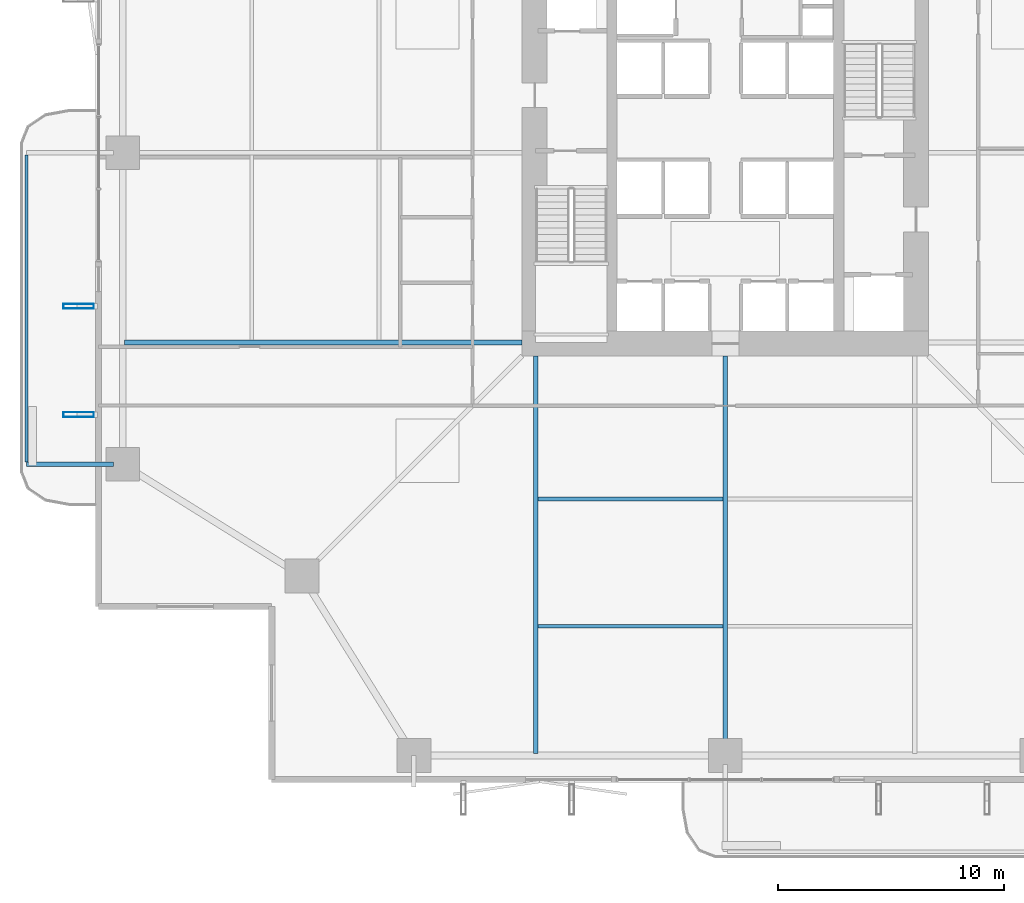
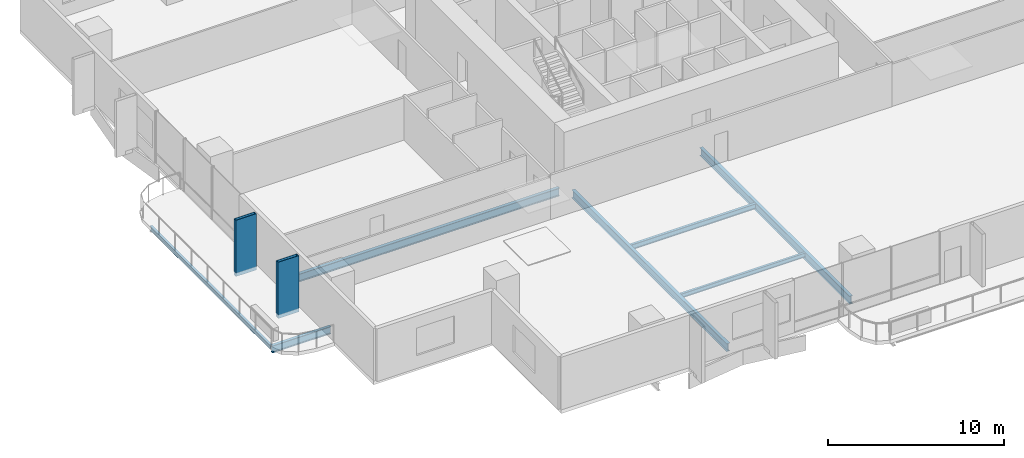
# One storey, part 3 of 23: 7 beams, 2 members.
"""IFC4 building model written with IfcOpenShell, lengths in metres."""

from ifc_helpers import new_model, si_unit, direction, frame, origin, origin_2d, place, context, subcontext, project, spatial, hollow_rectangle, i_section, extrude, material, material_profile, profile_set, type_object, element, save


model = new_model("IFC4")

# Units and contexts
model_context = context("Model", 3, precision=1e-05, world=origin(), true_north=direction((0.0, 1.0)))
body_context = subcontext(model_context, "Body", "Model", "MODEL_VIEW")
ifc_project = project(units=[si_unit("LENGTHUNIT", "METRE"), si_unit("AREAUNIT", "SQUARE_METRE"), si_unit("VOLUMEUNIT", "CUBIC_METRE"), si_unit("PLANEANGLEUNIT", "RADIAN"), si_unit("MASSUNIT", "GRAM", prefix="KILO")], contexts=[model_context])

# Site, building, storey
site_placement = place(None, origin())
site = spatial("IfcSite", under=ifc_project, at=site_placement, CompositionType="ELEMENT")
building_placement = place(site_placement, origin())
building = spatial("IfcBuilding", under=site, at=building_placement, Name="Belovzor Exchange Tower", CompositionType="ELEMENT")
storey_placement = place(building_placement, frame((0.0, 0.0, 84.60009765625)))
storey = spatial("IfcBuildingStorey", under=building, at=storey_placement, Name="L20", CompositionType="ELEMENT", Elevation=84.60009765625)

# Members
ifc_material_1 = material(Name="Extruded Architectural Terracotta on Steel S355 Carrier", Category="masonry")
ifc_material_profile_1 = material_profile(ifc_material_1, hollow_rectangle(XDim=0.219970703125, YDim=1.35009765625, WallThickness=0.013916015625, at=origin_2d()))
ifc_profile_set_1 = profile_set([ifc_material_profile_1], Name="Extruded Architectural Terracotta on Steel S355 Carrier")
member_type = type_object("IfcMemberType", Name="Base Arc Sweeping Terracotta Pylon Fin 1450", PredefinedType="USERDEFINED", material=ifc_profile_set_1)
for number, where, z_axis, x_axis, name in (
    (1, (0.14990234375, 17.199951171875, -0.25), (0.0, 0.0, 1.0), (0.0, 1.0, 0.0), "FIN-TC145 Terracotta Facade Fin L20 W1"),
    (2, (0.14990234375, 22.0, -0.25), (0.0, 0.0, 1.0), (0.0, 1.0, 0.0), "FIN-TC145 Terracotta Facade Fin L20 W2"),
):
    element("IfcMember", number, at=place(storey_placement, frame(where, z_axis=z_axis, x_axis=x_axis)), inside=storey, type_object=member_type, Name=name, ObjectType="FIN", PredefinedType="USERDEFINED", context=body_context, shape_type="SweptSolid", body=[
        extrude(hollow_rectangle(XDim=0.219970703125, YDim=1.35009765625, WallThickness=0.013916015625, at=origin_2d()), origin(), (0.0, 0.0, 1.0), 3.89990234375),
    ])

# Beams
ifc_material_2 = material(Name="Steel S355", Category="steel")
ifc_material_profile_2 = material_profile(ifc_material_2, i_section(OverallWidth=0.199951171875, OverallDepth=0.5, WebThickness=0.01025390625, FlangeThickness=0.01611328125, at=origin_2d()))
ifc_profile_set_2 = profile_set([ifc_material_profile_2], Name="Steel S355")
beam_type_1 = type_object("IfcBeamType", Name="Planted Balcony Cantilever Beam IPE 500", PredefinedType="BEAM", material=ifc_profile_set_2)
beam_1_placement = place(storey_placement, frame((1.68798828125, 15.0, -0.5), z_axis=(-1.0, 0.0, 0.0), x_axis=(0.0, -1.0, 0.0)))
element("IfcBeam", 3, at=beam_1_placement, inside=storey, type_object=beam_type_1, Name="BC-500 Planted Balcony Cantilever Beam IPE 500", PredefinedType="BEAM", context=body_context, shape_type="SweptSolid", body=[
    extrude(i_section(OverallWidth=0.199951171875, OverallDepth=0.5, WebThickness=0.01025390625, FlangeThickness=0.01611328125, at=origin_2d()), origin(), (0.0, 0.0, 1.0), 3.85009765625),
])
ifc_material_3 = material(Name="Steel S355", Category="steel")
ifc_material_profile_3 = material_profile(ifc_material_3, i_section(OverallWidth=0.14990234375, OverallDepth=0.300048828125, WebThickness=0.007080078125, FlangeThickness=0.0107421875, at=origin_2d()))
ifc_profile_set_3 = profile_set([ifc_material_profile_3], Name="Steel S355")
beam_type_2 = type_object("IfcBeamType", Name="Planted Balcony Fascia Edge Beam IPE 300", PredefinedType="BEAM", material=ifc_profile_set_3)
beam_2_placement = place(storey_placement, frame((-2.162109375, 28.699951171875, -0.400146484375), z_axis=(0.0, -1.0, 0.0), x_axis=(1.0, 0.0, 0.0)))
element("IfcBeam", 4, at=beam_2_placement, inside=storey, type_object=beam_type_2, Name="BC-300 Planted Balcony Fascia Edge Beam IPE 300", PredefinedType="BEAM", context=body_context, shape_type="SweptSolid", body=[
    extrude(i_section(OverallWidth=0.14990234375, OverallDepth=0.300048828125, WebThickness=0.007080078125, FlangeThickness=0.0107421875, at=origin_2d()), origin(), (0.0, 0.0, 1.0), 13.599853515625),
])
ifc_material_4 = material(Name="Steel S355", Category="steel")
ifc_material_profile_4 = material_profile(ifc_material_4, i_section(OverallWidth=0.169921875, OverallDepth=0.360107421875, WebThickness=0.008056640625, FlangeThickness=0.0126953125, at=origin_2d()))
ifc_profile_set_4 = profile_set([ifc_material_profile_4], Name="Steel S355")
beam_type_3 = type_object("IfcBeamType", Name="Secondary Infill Floor Joist IPE 360", PredefinedType="BEAM", material=ifc_profile_set_4)
beam_3_placement = place(storey_placement, frame((20.5048828125, 13.455078125, -0.43017578125), z_axis=(1.0, 0.0, 0.0), x_axis=(0.0, 1.0, 0.0)))
element("IfcBeam", 5, at=beam_3_placement, inside=storey, type_object=beam_type_3, Name="FJ-360 Secondary Infill Floor Joist IPE 360", PredefinedType="BEAM", context=body_context, shape_type="SweptSolid", body=[
    extrude(i_section(OverallWidth=0.169921875, OverallDepth=0.360107421875, WebThickness=0.008056640625, FlangeThickness=0.0126953125, at=origin_2d()), origin(), (0.0, 0.0, 1.0), 8.190185546875),
])
ifc_material_5 = material(Name="Steel S355", Category="steel")
ifc_material_profile_5 = material_profile(ifc_material_5, i_section(OverallWidth=0.14990234375, OverallDepth=0.300048828125, WebThickness=0.007080078125, FlangeThickness=0.0107421875, at=origin_2d()))
ifc_profile_set_5 = profile_set([ifc_material_profile_5], Name="Steel S355")
beam_type_4 = type_object("IfcBeamType", Name="Secondary Trim Floor Joist IPE 300", PredefinedType="BEAM", material=ifc_profile_set_5)
beam_4_placement = place(storey_placement, frame((20.5048828125, 7.81494140625, -0.400146484375), z_axis=(1.0, 0.0, 0.0), x_axis=(0.0, 1.0, 0.0)))
element("IfcBeam", 6, at=beam_4_placement, inside=storey, type_object=beam_type_4, Name="FJ-300 Secondary Trim Floor Joist IPE 300", PredefinedType="BEAM", context=body_context, shape_type="SweptSolid", body=[
    extrude(i_section(OverallWidth=0.14990234375, OverallDepth=0.300048828125, WebThickness=0.007080078125, FlangeThickness=0.0107421875, at=origin_2d()), origin(), (0.0, 0.0, 1.0), 8.190185546875),
])
ifc_material_6 = material(Name="Steel S355", Category="steel")
ifc_material_profile_6 = material_profile(ifc_material_6, i_section(OverallWidth=0.2099609375, OverallDepth=0.550048828125, WebThickness=0.010986328125, FlangeThickness=0.01708984375, at=origin_2d()))
ifc_profile_set_6 = profile_set([ifc_material_profile_6], Name="Steel S355")
beam_type_5 = type_object("IfcBeamType", Name="Zone 1 Radial Composite Floor Beam IPE 550", PredefinedType="BEAM", material=ifc_profile_set_6)
beam_5_placement = place(storey_placement, frame((20.39990234375, 19.800048828125, -0.525146484375), z_axis=(0.0, -1.0, 0.0), x_axis=(1.0, 0.0, 0.0)))
element("IfcBeam", 7, at=beam_5_placement, inside=storey, type_object=beam_type_5, Name="FB-550 Zone 1 Radial Composite Floor Beam IPE 550", PredefinedType="BEAM", context=body_context, shape_type="SweptSolid", body=[
    extrude(i_section(OverallWidth=0.2099609375, OverallDepth=0.550048828125, WebThickness=0.010986328125, FlangeThickness=0.01708984375, at=origin_2d()), origin(), (0.0, 0.0, 1.0), 17.625),
])
beam_6_placement = place(storey_placement, frame((28.800048828125, 19.800048828125, -0.525146484375), z_axis=(0.0, -1.0, 0.0), x_axis=(1.0, 0.0, 0.0)))
element("IfcBeam", 8, at=beam_6_placement, inside=storey, type_object=beam_type_5, Name="FB-550 Zone 1 Radial Composite Floor Beam IPE 550", PredefinedType="BEAM", context=body_context, shape_type="SweptSolid", body=[
    extrude(i_section(OverallWidth=0.2099609375, OverallDepth=0.550048828125, WebThickness=0.010986328125, FlangeThickness=0.01708984375, at=origin_2d()), origin(), (0.0, 0.0, 1.0), 17.0400390625),
])
beam_7_placement = place(storey_placement, frame((19.800048828125, 20.39990234375, -0.525146484375), z_axis=(-1.0, 0.0, 0.0), x_axis=(0.0, -1.0, 0.0)))
element("IfcBeam", 9, at=beam_7_placement, inside=storey, type_object=beam_type_5, Name="FB-550 Zone 1 Radial Composite Floor Beam IPE 550", PredefinedType="BEAM", context=body_context, shape_type="SweptSolid", body=[
    extrude(i_section(OverallWidth=0.2099609375, OverallDepth=0.550048828125, WebThickness=0.010986328125, FlangeThickness=0.01708984375, at=origin_2d()), origin(), (0.0, 0.0, 1.0), 17.625),
])

save(model, "model.ifc")
